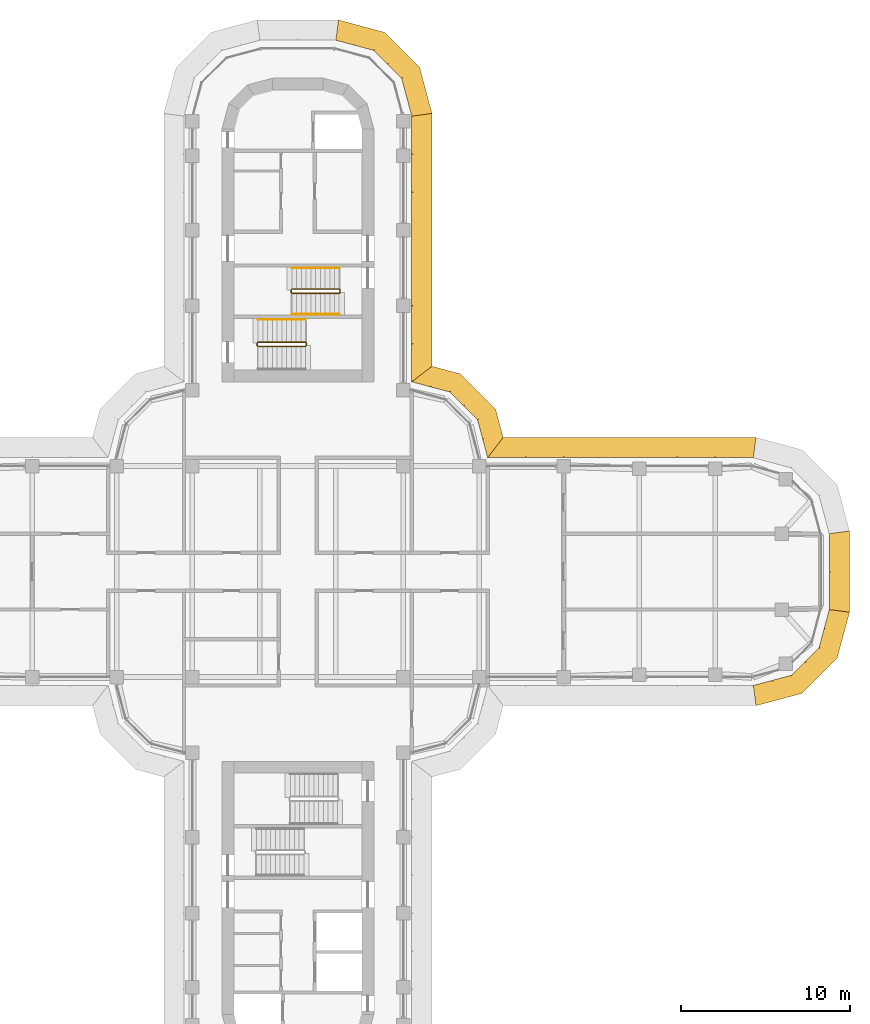
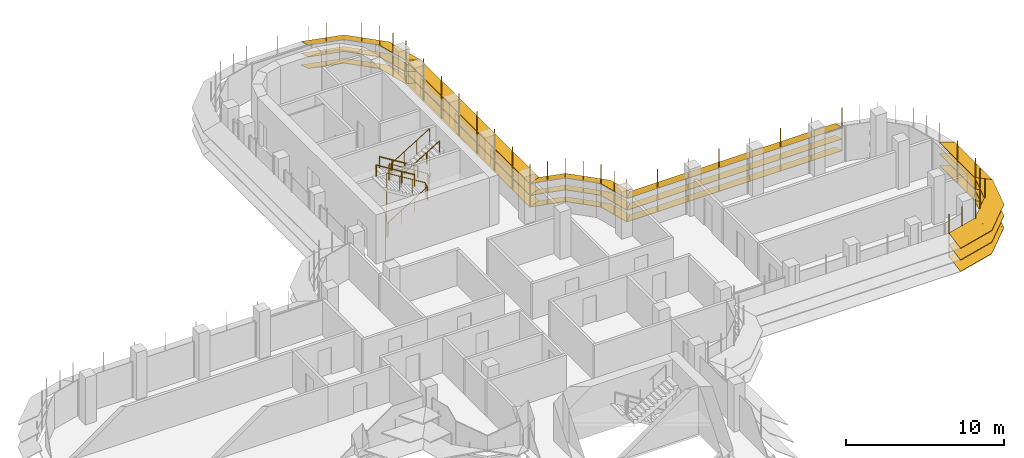
# One storey, part 18 of 19: 6 shading devices, 5 railings.
"""IFC4 building model written with IfcOpenShell, lengths in metres."""

import ifcopenshell
import ifcopenshell.guid

model = None  # the IFC model being written
_history = None  # IfcOwnerHistory: only IFC2X3 demands one
_inside = {}  # id of a spatial element -> (the spatial element, [elements in it])
_under = {}  # id of a project, library or spatial element -> (it, [spatial elements below it])
_declared = {}  # id of a project -> (the project, [libraries it declares])
_typed = {}  # id of a type object -> (the type object, [elements of that type])
_made_of = {}  # id of a material, layer set ... -> (it, [elements and type objects made of it])


def new_model(schema):
    """Start an empty IFC model of exactly this schema.

    Asked for "IFC4X3", IfcOpenShell would pick the latest addendum, in which some entities
    have other attributes; the version numbers below select the first issue.
    IFC2X3 requires an IfcOwnerHistory on every rooted entity: one is made here for all.
    """
    global model, _history
    if schema == "IFC4X3":
        model = ifcopenshell.file(schema_version=(4, 3, 0, 0))
    else:
        model = ifcopenshell.file(schema=schema)
    _inside.clear()
    _under.clear()
    _declared.clear()
    _typed.clear()
    _made_of.clear()
    _history = None
    if model.schema == "IFC2X3":
        org = make("IfcOrganization", Name="unknown")
        user = make(
            "IfcPersonAndOrganization",
            ThePerson=make("IfcPerson", FamilyName="unknown"),
            TheOrganization=org,
        )
        app = make(
            "IfcApplication",
            ApplicationDeveloper=org,
            Version="unknown",
            ApplicationFullName="unknown",
            ApplicationIdentifier="unknown",
        )
        _history = make(
            "IfcOwnerHistory",
            OwningUser=user,
            OwningApplication=app,
            ChangeAction="ADDED",
            CreationDate=0,
        )
    return model


def make(cls, **values):
    """One entity of the class cls with the attributes given. An attribute that is None is left unset."""
    return model.create_entity(
        cls, **{name: value for name, value in values.items() if value is not None}
    )


def rooted(cls, **values):
    """An entity with a GlobalId (a new one), such as an element, a storey or a relation."""
    return make(cls, GlobalId=ifcopenshell.guid.new(), OwnerHistory=_history, **values)


def si_unit(unit_type, name, prefix=None):
    """IfcSIUnit, for example si_unit("LENGTHUNIT", "METRE", prefix="MILLI")."""
    return make("IfcSIUnit", UnitType=unit_type, Prefix=prefix, Name=name)


def assignment(units):
    """IfcUnitAssignment: the units of a project."""
    return None if units is None else make("IfcUnitAssignment", Units=units)


def point(xyz):
    """IfcCartesianPoint."""
    return None if xyz is None else make("IfcCartesianPoint", Coordinates=xyz)


def direction(xyz):
    """IfcDirection."""
    return None if xyz is None else make("IfcDirection", DirectionRatios=xyz)


def frame(location, z_axis=None, x_axis=None):
    """IfcAxis2Placement3D, a coordinate frame: its origin and axes. An axis left out is left unset."""
    return make(
        "IfcAxis2Placement3D",
        Location=point(location),
        Axis=direction(z_axis),
        RefDirection=direction(x_axis),
    )


def frame_2d(location, x_axis=None):
    """IfcAxis2Placement2D, a coordinate frame in the plane: its origin and x axis."""
    return make(
        "IfcAxis2Placement2D", Location=point(location), RefDirection=direction(x_axis)
    )


def origin():
    """The frame at (0, 0, 0) with its axes left unset."""
    return frame((0.0, 0.0, 0.0))


def origin_2d():
    """The frame at (0, 0) in the plane with its x axis left unset."""
    return frame_2d((0.0, 0.0))


def place(relative_to, where):
    """IfcLocalPlacement: puts the frame where relative to a parent placement (None: the world)."""
    return make(
        "IfcLocalPlacement", PlacementRelTo=relative_to, RelativePlacement=where
    )


def context(
    kind, dimensions, precision=None, world=None, true_north=None, identifier=None
):
    """IfcGeometricRepresentationContext, for example the 3D "Model" context."""
    return make(
        "IfcGeometricRepresentationContext",
        ContextIdentifier=identifier,
        ContextType=kind,
        CoordinateSpaceDimension=dimensions,
        Precision=precision,
        WorldCoordinateSystem=world,
        TrueNorth=true_north,
    )


def subcontext(parent, identifier, kind, view, scale=None):
    """IfcGeometricRepresentationSubContext, for example "Body" below "Model"."""
    return make(
        "IfcGeometricRepresentationSubContext",
        ContextIdentifier=identifier,
        ContextType=kind,
        ParentContext=parent,
        TargetScale=scale,
        TargetView=view,
    )


def project(units=None, contexts=None):
    """IfcProject with its units and contexts."""
    return rooted(
        "IfcProject",
        Name="project",
        RepresentationContexts=contexts,
        UnitsInContext=assignment(units),
    )


def spatial(cls, under=None, at=None, **own):
    """A site, building, storey or space (cls), placed at a placement, below another one or the project."""
    s = rooted(cls, ObjectPlacement=at, **own)
    if under is not None:
        _under.setdefault(under.id(), (under, []))[1].append(s)
    return s


def polyline(points):
    """IfcPolyline through the points."""
    return make("IfcPolyline", Points=[point(p) for p in points])


def profile(cls, at=None, kind="AREA", **sizes):
    """A parametric profile (cls). Its sizes go by their IFC names, for example OverallWidth=200.0."""
    return make(cls, ProfileType=kind, Position=at, **sizes)


def circle(**sizes):
    """IfcCircleProfileDef."""
    return profile("IfcCircleProfileDef", **sizes)


def outline(outer, holes=None, kind="AREA"):
    """IfcArbitraryClosedProfileDef: a profile drawn as a closed curve; with holes, ...WithVoids."""
    if holes is None:
        return make("IfcArbitraryClosedProfileDef", ProfileType=kind, OuterCurve=outer)
    return make(
        "IfcArbitraryProfileDefWithVoids",
        ProfileType=kind,
        OuterCurve=outer,
        InnerCurves=holes,
    )


def extrude(swept, where, along, depth):
    """IfcExtrudedAreaSolid: the profile swept, set in the frame where, extruded along a direction by depth."""
    return make(
        "IfcExtrudedAreaSolid",
        SweptArea=swept,
        Position=where,
        ExtrudedDirection=direction(along),
        Depth=depth,
    )


def faces_of(points, faces, orient=None, outer=None):
    """IfcFace entities. A face is a list of loops; a loop is a list of indices into points, from 0.

    orient and outer hold one flag for each loop. By default every Orientation is true, the
    first loop of a face is its IfcFaceOuterBound and the others are IfcFaceBound.
    """
    made = []
    for i, loops in enumerate(faces):
        bounds = []
        for j, loop in enumerate(loops):
            is_outer = j == 0 if outer is None else outer[i][j]
            bounds.append(
                make(
                    "IfcFaceOuterBound" if is_outer else "IfcFaceBound",
                    Bound=make("IfcPolyLoop", Polygon=[points[k] for k in loop]),
                    Orientation=True if orient is None else orient[i][j],
                )
            )
        made.append(make("IfcFace", Bounds=bounds))
    return made


def faceted_brep(points, faces, orient=None, outer=None, voids=None):
    """IfcFacetedBrep: a solid bounded by flat faces; with voids (closed shells), ...WithVoids."""
    shared = [point(p) for p in points]
    hull = make("IfcClosedShell", CfsFaces=faces_of(shared, faces, orient, outer))
    if voids is None:
        return make("IfcFacetedBrep", Outer=hull)
    return make(
        "IfcFacetedBrepWithVoids",
        Outer=hull,
        Voids=[
            make(cls, CfsFaces=faces_of(shared, fs, o, b)) for cls, fs, o, b in voids
        ],
    )


def shape(context_of_items, identifier, shape_type, items):
    """IfcShapeRepresentation: the items that make up one representation, for example the "Body"."""
    return make(
        "IfcShapeRepresentation",
        ContextOfItems=context_of_items,
        RepresentationIdentifier=identifier,
        RepresentationType=shape_type,
        Items=items,
    )


def source(mapping_origin, context_of_items, identifier, shape_type, items):
    """IfcRepresentationMap: a shape defined once, which mapped items show again and again."""
    return make(
        "IfcRepresentationMap",
        MappingOrigin=mapping_origin,
        MappedRepresentation=shape(context_of_items, identifier, shape_type, items),
    )


def transform(
    local_origin,
    x_axis=None,
    y_axis=None,
    z_axis=None,
    scale=None,
    scale2=None,
    scale3=None,
    uniform=True,
):
    """IfcCartesianTransformationOperator3D, or its non-uniform kind. x_axis, y_axis, z_axis: its Axis1, 2, 3."""
    if uniform:
        return make(
            "IfcCartesianTransformationOperator3D",
            Axis1=direction(x_axis),
            Axis2=direction(y_axis),
            LocalOrigin=point(local_origin),
            Scale=scale,
            Axis3=direction(z_axis),
        )
    return make(
        "IfcCartesianTransformationOperator3DnonUniform",
        Axis1=direction(x_axis),
        Axis2=direction(y_axis),
        LocalOrigin=point(local_origin),
        Scale=scale,
        Axis3=direction(z_axis),
        Scale2=scale2,
        Scale3=scale3,
    )


def mapped(mapping_source, mapping_target):
    """IfcMappedItem: shows the shape of a source again, moved by a transform."""
    return make(
        "IfcMappedItem", MappingSource=mapping_source, MappingTarget=mapping_target
    )


def material(Name=None, Category=None):
    """IfcMaterial."""
    return make("IfcMaterial", Name=Name, Category=Category)


def made_of(thing, what):
    """Note that an element or type object is made of a material, layer set ...; save() writes the relation."""
    if what is not None:
        _made_of.setdefault(what.id(), (what, []))[1].append(thing)
    return thing


def type_object(cls, material=None, **own):
    """A type object (cls), such as IfcWallType, which elements share."""
    return made_of(rooted(cls, **own), material)


def element(
    cls,
    number,
    at=None,
    inside=None,
    cuts=None,
    type_object=None,
    material=None,
    context=None,
    identifier="Body",
    shape_type=None,
    held_by="IfcProductDefinitionShape",
    body=None,
    shapes=None,
    **own,
):
    """One element of the class cls, such as IfcWall. Its Tag is "e" and its number.

    at: its placement. inside: the storey or other place that contains it. cuts: it is an
    opening in that element (IfcRelVoidsElement). A single representation is given by context,
    identifier, shape_type and body (its items); several are given by shapes. held_by: the class
    of the entity that holds the representations. save() writes the other relations.
    """
    e = rooted(cls, Tag="e%d" % number, ObjectPlacement=at, **own)
    if body is not None:
        shapes = [shape(context, identifier, shape_type, body)]
    if shapes is not None:
        e.Representation = make(held_by, Representations=shapes)
    if inside is not None:
        _inside.setdefault(inside.id(), (inside, []))[1].append(e)
    if cuts is not None:
        rooted(
            "IfcRelVoidsElement", RelatingBuildingElement=cuts, RelatedOpeningElement=e
        )
    if type_object is not None:
        _typed.setdefault(type_object.id(), (type_object, []))[1].append(e)
    return made_of(e, material)


def aggregate(whole, parts):
    """IfcRelAggregates: a whole, such as a stair, and the parts it consists of."""
    return rooted("IfcRelAggregates", RelatingObject=whole, RelatedObjects=parts)


def save(model, path):
    """Write the relations noted so far, then the file.

    IfcRelAggregates (storeys below a building ...), IfcRelContainedInSpatialStructure (elements
    in a storey), IfcRelDefinesByType, IfcRelAssociatesMaterial and IfcRelDeclares: one each for
    every whole, place, type object, material and project.
    """
    for whole, parts in _under.values():
        aggregate(whole, parts)
    for where, things in _inside.values():
        rooted(
            "IfcRelContainedInSpatialStructure",
            RelatedElements=things,
            RelatingStructure=where,
        )
    for kind, things in _typed.values():
        rooted("IfcRelDefinesByType", RelatedObjects=things, RelatingType=kind)
    for what, things in _made_of.values():
        rooted("IfcRelAssociatesMaterial", RelatedObjects=things, RelatingMaterial=what)
    for by, libraries in _declared.values():
        rooted("IfcRelDeclares", RelatingContext=by, RelatedDefinitions=libraries)
    model.write(path)


model = new_model("IFC4")

# Units and contexts
model_context = context("Model", 3, precision=1e-05, world=origin(), true_north=direction((0.0, 1.0)))
body_context = subcontext(model_context, "Body", "Model", "MODEL_VIEW")
ifc_project = project(units=[si_unit("LENGTHUNIT", "METRE"), si_unit("AREAUNIT", "SQUARE_METRE"), si_unit("VOLUMEUNIT", "CUBIC_METRE"), si_unit("PLANEANGLEUNIT", "RADIAN"), si_unit("MASSUNIT", "GRAM", prefix="KILO")], contexts=[model_context])

# Site, building, storey
site_placement = place(None, origin())
site = spatial("IfcSite", under=ifc_project, at=site_placement, CompositionType="ELEMENT")
building_placement = place(site_placement, origin())
building = spatial("IfcBuilding", under=site, at=building_placement, Name="Zarbagh Exchange Tower", CompositionType="ELEMENT")
storey_placement = place(building_placement, frame((0.0, 0.0, 171.39990234375)))
storey = spatial("IfcBuildingStorey", under=building, at=storey_placement, Name="L41", CompositionType="ELEMENT", Elevation=171.39990234375)

# Railings
ifc_material_1 = material(Name="Stainless steel", Category="steel")
railing_type_1 = type_object("IfcRailingType", Name="Stair guard 1100 mm", PredefinedType="GUARDRAIL", material=ifc_material_1)
railing_1_placement = place(storey_placement, frame((-0.35009765625, 16.5, 2.07275390625)))
element("IfcRailing", 1, at=railing_1_placement, inside=storey, type_object=railing_type_1, Name="ST1 stair guard 1", PredefinedType="GUARDRAIL", context=body_context, shape_type="SweptSolid", body=[
    extrude(circle(Radius=0.02392578125, at=origin_2d()), frame((0.0, 0.0, 1.076171875), z_axis=(0.851089632645, 0.0, 0.525020415988), x_axis=(0.0, 1.0, 0.0)), (0.0, 0.0, 1.0), 3.2900390625),
    extrude(circle(Radius=0.02392578125, at=origin_2d()), frame((2.800048828125, 0.0, 2.80322265625), z_axis=(0.013168290981, 0.013168290981, -0.999826581076), x_axis=(-0.707106781187, 0.707106781187, 0.0)), (0.0, 0.0, 1.0), 3.80078125),
    extrude(circle(Radius=0.02392578125, at=origin_2d()), frame((2.85009765625, 0.050048828125, -0.99658203125), z_axis=(0.0, 1.0, 0.0), x_axis=(-1.0, 0.0, 0.0)), (0.0, 0.0, 1.0), 0.14990234375),
    extrude(circle(Radius=0.02392578125, at=origin_2d()), frame((2.85009765625, 0.199951171875, -0.99658203125), z_axis=(-0.267953482034, 0.267953482034, 0.925419830635), x_axis=(-0.707106781187, -0.707106781187, 0.0)), (0.0, 0.0, 1.0), 0.186767578125),
    extrude(circle(Radius=0.02392578125, at=origin_2d()), frame((2.800048828125, 0.25, -0.82373046875), z_axis=(-0.851089632645, 0.0, 0.525020415988), x_axis=(0.0, -1.0, 0.0)), (0.0, 0.0, 1.0), 3.2900390625),
    extrude(circle(Radius=0.02392578125, at=origin_2d()), frame((0.0, 0.25, 0.9033203125), z_axis=(-0.705375805398, -0.708833529934, 0.0), x_axis=(0.708833529934, -0.705375805398, 0.0)), (0.0, 0.0, 1.0), 0.070556640625),
    extrude(circle(Radius=0.02392578125, at=origin_2d()), frame((-0.0498046875, 0.199951171875, 0.9033203125), z_axis=(0.0, -1.0, 0.0), x_axis=(1.0, 0.0, 0.0)), (0.0, 0.0, 1.0), 0.14990234375),
    extrude(circle(Radius=0.02099609375, at=origin_2d()), origin(), (0.0, 0.0, 1.0), 1.052001953125),
    extrude(circle(Radius=0.02099609375, at=origin_2d()), frame((0.933349609375, 0.0, 0.57568359375)), (0.0, 0.0, 1.0), 1.052001953125),
    extrude(circle(Radius=0.02099609375, at=origin_2d()), frame((1.86669921875, 0.0, 1.151611328125)), (0.0, 0.0, 1.0), 1.052001953125),
    extrude(circle(Radius=0.02099609375, at=origin_2d()), frame((2.800048828125, 0.0, 1.727294921875)), (0.0, 0.0, 1.0), 1.052001953125),
    extrude(circle(Radius=0.02099609375, at=origin_2d()), frame((2.8125, 0.012451171875, 0.77734375)), (0.0, 0.0, 1.0), 1.052001953125),
    extrude(circle(Radius=0.02099609375, at=origin_2d()), frame((2.8251953125, 0.02490234375, -0.1728515625)), (0.0, 0.0, 1.0), 1.052001953125),
    extrude(circle(Radius=0.02099609375, at=origin_2d()), frame((2.837646484375, 0.03759765625, -1.122802734375)), (0.0, 0.0, 1.0), 1.052001953125),
    extrude(circle(Radius=0.02099609375, at=origin_2d()), frame((2.85009765625, 0.050048828125, -2.07275390625)), (0.0, 0.0, 1.0), 1.052001953125),
    extrude(circle(Radius=0.02099609375, at=origin_2d()), frame((2.85009765625, 0.199951171875, -2.07275390625)), (0.0, 0.0, 1.0), 1.052001953125),
    extrude(circle(Radius=0.02099609375, at=origin_2d()), frame((2.800048828125, 0.25, -1.89990234375)), (0.0, 0.0, 1.0), 1.052001953125),
    extrude(circle(Radius=0.02099609375, at=origin_2d()), frame((1.86669921875, 0.25, -1.32421875)), (0.0, 0.0, 1.0), 1.052001953125),
    extrude(circle(Radius=0.02099609375, at=origin_2d()), frame((0.933349609375, 0.25, -0.748291015625)), (0.0, 0.0, 1.0), 1.052001953125),
    extrude(circle(Radius=0.02099609375, at=origin_2d()), frame((0.0, 0.25, -0.172607421875)), (0.0, 0.0, 1.0), 1.052001953125),
    extrude(circle(Radius=0.02099609375, at=origin_2d()), frame((-0.0498046875, 0.199951171875, -0.172607421875)), (0.0, 0.0, 1.0), 1.052001953125),
    extrude(circle(Radius=0.02099609375, at=origin_2d()), frame((-0.0498046875, 0.050048828125, -0.172607421875)), (0.0, 0.0, 1.0), 1.052001953125),
])
railing_2_placement = place(storey_placement, frame((0.5, 13.39990234375, 1.900146484375)))
element("IfcRailing", 2, at=railing_2_placement, inside=storey, type_object=railing_type_1, Name="ST2 stair guard 1", PredefinedType="GUARDRAIL", context=body_context, shape_type="SweptSolid", body=[
    extrude(circle(Radius=0.02392578125, at=origin_2d()), frame((0.0, 0.0, 1.076171875), z_axis=(0.0, 1.0, 0.0), x_axis=(-1.0, 0.0, 0.0)), (0.0, 0.0, 1.0), 0.150146484375),
    extrude(circle(Radius=0.02392578125, at=origin_2d()), frame((0.0, 0.150146484375, 1.076171875), z_axis=(-0.268277960024, 0.268277960024, 0.925231793839), x_axis=(-0.707106781187, -0.707106781187, 0.0)), (0.0, 0.0, 1.0), 0.1865234375),
    extrude(circle(Radius=0.02392578125, at=origin_2d()), frame((-0.050048828125, 0.2001953125, 1.24853515625), z_axis=(-0.851089632645, 0.0, 0.525020415988), x_axis=(0.0, -1.0, 0.0)), (0.0, 0.0, 1.0), 3.2900390625),
    extrude(circle(Radius=0.02392578125, at=origin_2d()), frame((-2.85009765625, 0.2001953125, 2.97607421875), z_axis=(-0.013104066473, -0.013168302093, -0.99982742474), x_axis=(0.708833529934, -0.705375805398, 0.0)), (0.0, 0.0, 1.0), 3.80078125),
    extrude(circle(Radius=0.02392578125, at=origin_2d()), frame((-2.89990234375, 0.150146484375, -0.82421875), z_axis=(0.0, -1.0, 0.0), x_axis=(1.0, 0.0, 0.0)), (0.0, 0.0, 1.0), 0.150146484375),
    extrude(circle(Radius=0.02392578125, at=origin_2d()), frame((-2.89990234375, 0.0, -0.82421875), z_axis=(0.266832911964, -0.266832911964, 0.926067165051), x_axis=(0.707106781187, 0.707106781187, 0.0)), (0.0, 0.0, 1.0), 0.186767578125),
    extrude(circle(Radius=0.02392578125, at=origin_2d()), frame((-2.85009765625, -0.0498046875, -0.6513671875), z_axis=(0.851089632645, 0.0, 0.525020415988), x_axis=(0.0, 1.0, 0.0)), (0.0, 0.0, 1.0), 3.2900390625),
    extrude(circle(Radius=0.02099609375, at=origin_2d()), origin(), (0.0, 0.0, 1.0), 1.052001953125),
    extrude(circle(Radius=0.02099609375, at=origin_2d()), frame((0.0, 0.150146484375, 0.0)), (0.0, 0.0, 1.0), 1.052001953125),
    extrude(circle(Radius=0.02099609375, at=origin_2d()), frame((-0.050048828125, 0.2001953125, 0.172607421875)), (0.0, 0.0, 1.0), 1.052001953125),
    extrude(circle(Radius=0.02099609375, at=origin_2d()), frame((-0.9833984375, 0.2001953125, 0.748291015625)), (0.0, 0.0, 1.0), 1.052001953125),
    extrude(circle(Radius=0.02099609375, at=origin_2d()), frame((-1.916748046875, 0.2001953125, 1.32421875)), (0.0, 0.0, 1.0), 1.052001953125),
    extrude(circle(Radius=0.02099609375, at=origin_2d()), frame((-2.85009765625, 0.2001953125, 1.89990234375)), (0.0, 0.0, 1.0), 1.052001953125),
    extrude(circle(Radius=0.02099609375, at=origin_2d()), frame((-2.862548828125, 0.187744140625, 0.949951171875)), (0.0, 0.0, 1.0), 1.052001953125),
    extrude(circle(Radius=0.02099609375, at=origin_2d()), frame((-2.875, 0.17529296875, 0.0)), (0.0, 0.0, 1.0), 1.052001953125),
    extrude(circle(Radius=0.02099609375, at=origin_2d()), frame((-2.887451171875, 0.16259765625, -0.9501953125)), (0.0, 0.0, 1.0), 1.052001953125),
    extrude(circle(Radius=0.02099609375, at=origin_2d()), frame((-2.89990234375, 0.150146484375, -1.900146484375)), (0.0, 0.0, 1.0), 1.052001953125),
    extrude(circle(Radius=0.02099609375, at=origin_2d()), frame((-2.89990234375, 0.0, -1.900146484375)), (0.0, 0.0, 1.0), 1.052001953125),
    extrude(circle(Radius=0.02099609375, at=origin_2d()), frame((-2.85009765625, -0.0498046875, -1.727294921875)), (0.0, 0.0, 1.0), 1.052001953125),
    extrude(circle(Radius=0.02099609375, at=origin_2d()), frame((-1.916748046875, -0.0498046875, -1.151611328125)), (0.0, 0.0, 1.0), 1.052001953125),
    extrude(circle(Radius=0.02099609375, at=origin_2d()), frame((-0.9833984375, -0.0498046875, -0.57568359375)), (0.0, 0.0, 1.0), 1.052001953125),
    extrude(circle(Radius=0.02099609375, at=origin_2d()), frame((-0.050048828125, -0.0498046875, 0.0)), (0.0, 0.0, 1.0), 1.052001953125),
])
railing_type_2 = type_object("IfcRailingType", Name="Stair handrail 900 mm", PredefinedType="HANDRAIL", material=ifc_material_1)
railing_3_placement = place(storey_placement, frame((2.449951171875, 18.0, 0.1728515625)))
element("IfcRailing", 3, at=railing_3_placement, inside=storey, type_object=railing_type_2, Name="ST1 stair handrail 1", PredefinedType="HANDRAIL", context=body_context, shape_type="SweptSolid", body=[
    extrude(circle(Radius=0.02392578125, at=origin_2d()), frame((0.0, 0.0, 0.8759765625), z_axis=(-0.851089632645, 0.0, 0.525020415988), x_axis=(0.0, -1.0, 0.0)), (0.0, 0.0, 1.0), 3.2900390625),
    extrude(circle(Radius=0.02099609375, at=origin_2d()), origin(), (0.0, 0.0, 1.0), 0.851806640625),
    extrude(circle(Radius=0.02099609375, at=origin_2d()), frame((-0.933349609375, 0.0, 0.57568359375)), (0.0, 0.0, 1.0), 0.851806640625),
    extrude(circle(Radius=0.02099609375, at=origin_2d()), frame((-1.86669921875, 0.0, 1.151611328125)), (0.0, 0.0, 1.0), 0.851806640625),
    extrude(circle(Radius=0.02099609375, at=origin_2d()), frame((-2.800048828125, 0.0, 1.727294921875)), (0.0, 0.0, 1.0), 0.851806640625),
])
railing_4_placement = place(storey_placement, frame((-0.35009765625, 15.25, 2.07275390625)))
element("IfcRailing", 4, at=railing_4_placement, inside=storey, type_object=railing_type_2, Name="ST1 stair handrail 2", PredefinedType="HANDRAIL", context=body_context, shape_type="SweptSolid", body=[
    extrude(circle(Radius=0.02392578125, at=origin_2d()), frame((0.0, 0.0, 0.8759765625), z_axis=(0.851089632645, 0.0, 0.525020415988), x_axis=(0.0, 1.0, 0.0)), (0.0, 0.0, 1.0), 3.2900390625),
    extrude(circle(Radius=0.02099609375, at=origin_2d()), origin(), (0.0, 0.0, 1.0), 0.851806640625),
    extrude(circle(Radius=0.02099609375, at=origin_2d()), frame((0.933349609375, 0.0, 0.57568359375)), (0.0, 0.0, 1.0), 0.851806640625),
    extrude(circle(Radius=0.02099609375, at=origin_2d()), frame((1.86669921875, 0.0, 1.151611328125)), (0.0, 0.0, 1.0), 0.851806640625),
    extrude(circle(Radius=0.02099609375, at=origin_2d()), frame((2.800048828125, 0.0, 1.727294921875)), (0.0, 0.0, 1.0), 0.851806640625),
])
railing_5_placement = place(storey_placement, frame((0.449951171875, 14.949951171875, 2.07275390625)))
element("IfcRailing", 5, at=railing_5_placement, inside=storey, type_object=railing_type_2, Name="ST2 stair handrail 2", PredefinedType="HANDRAIL", context=body_context, shape_type="SweptSolid", body=[
    extrude(circle(Radius=0.02392578125, at=origin_2d()), frame((0.0, 0.0, 0.8759765625), z_axis=(-0.851089632645, 0.0, 0.525020415988), x_axis=(0.0, -1.0, 0.0)), (0.0, 0.0, 1.0), 3.2900390625),
    extrude(circle(Radius=0.02099609375, at=origin_2d()), origin(), (0.0, 0.0, 1.0), 0.851806640625),
    extrude(circle(Radius=0.02099609375, at=origin_2d()), frame((-0.933349609375, 0.0, 0.57568359375)), (0.0, 0.0, 1.0), 0.851806640625),
    extrude(circle(Radius=0.02099609375, at=origin_2d()), frame((-1.86669921875, 0.0, 1.151611328125)), (0.0, 0.0, 1.0), 0.851806640625),
    extrude(circle(Radius=0.02099609375, at=origin_2d()), frame((-2.800048828125, 0.0, 1.727294921875)), (0.0, 0.0, 1.0), 0.851806640625),
])

# Shading devices
ifc_material_2 = material(Name="Anodised aluminium blades and brackets", Category="aluminium")
shading_device_type = type_object("IfcShadingDeviceType", Name="SUNSHADE louvre band, 22.5 degree blades", PredefinedType="JALOUSIE", material=ifc_material_2)
shared_shape_1 = source(origin(), body_context, "Body", "Brep", [
    faceted_brep([(0.0, 0.0, 0.0), (0.0, 0.0, -0.043212890625), (-0.157958984375, -1.199951171875, -0.540283203125), (-0.157958984375, -1.199951171875, -0.4970703125), (2.65087890625, -1.199951171875, -0.4970703125), (2.65087890625, -1.199951171875, -0.540283203125), (2.329345703125, 0.0, -0.043212890625), (2.329345703125, 0.0, 0.0)], [[[0, 1, 2, 3]], [[4, 5, 6, 7]], [[0, 7, 6, 1]], [[1, 6, 5, 2]], [[2, 5, 4, 3]], [[3, 4, 7, 0]]]),
])
shared_shape_2 = source(origin(), body_context, "Body", "Brep", [
    faceted_brep([(0.0, 0.0, 0.0), (0.0, 0.0, -0.043212890625), (-0.321533203125, -1.199951171875, -0.540283203125), (-0.321533203125, -1.199951171875, -0.4970703125), (2.65087890625, -1.199951171875, -0.4970703125), (2.65087890625, -1.199951171875, -0.540283203125), (2.329345703125, 0.0, -0.043212890625), (2.329345703125, 0.0, 0.0)], [[[0, 1, 2, 3]], [[4, 5, 6, 7]], [[0, 7, 6, 1]], [[1, 6, 5, 2]], [[2, 5, 4, 3]], [[3, 4, 7, 0]]]),
])
shared_shape_3 = source(origin(), body_context, "Body", "Brep", [
    faceted_brep([(0.0, 0.0, 0.0), (0.0, 0.0, -0.043212890625), (-0.321533203125, -1.199951171875, -0.540283203125), (-0.321533203125, -1.199951171875, -0.4970703125), (2.4873046875, -1.199951171875, -0.4970703125), (2.4873046875, -1.199951171875, -0.540283203125), (2.329345703125, 0.0, -0.043212890625), (2.329345703125, 0.0, 0.0)], [[[0, 1, 2, 3]], [[4, 5, 6, 7]], [[0, 7, 6, 1]], [[1, 6, 5, 2]], [[2, 5, 4, 3]], [[3, 4, 7, 0]]]),
])
shared_shape_4 = source(origin(), body_context, "Body", "SweptSolid", [
    extrude(outline(polyline([(0.0, -0.012451171875), (0.06005859375, -0.012451171875), (0.06005859375, 0.012451171875), (0.0, 0.012451171875), (0.0, -0.012451171875)])), origin(), (0.0, 0.0, 1.0), 3.353271484375),
])
placement = place(storey_placement, origin())
element("IfcShadingDevice", 6, at=placement, inside=storey, type_object=shading_device_type, Name="SS31 sunshade band", PredefinedType="JALOUSIE", context=body_context, shape_type="MappedRepresentation", body=[
    mapped(shared_shape_1, transform((27.0, -6.75, 2.300048828125), x_axis=(0.965924289636, 0.258824779902, 0.0), y_axis=(-0.258824779902, 0.965924289636, 0.0), z_axis=(0.0, 0.0, 1.0))),
    mapped(shared_shape_1, transform((27.0, -6.75, 1.400146484375), x_axis=(0.965924289636, 0.258824779902, 0.0), y_axis=(-0.258824779902, 0.965924289636, 0.0), z_axis=(0.0, 0.0, 1.0))),
    mapped(shared_shape_1, transform((27.0, -6.75, 0.5), x_axis=(0.965924289636, 0.258824779902, 0.0), y_axis=(-0.258824779902, 0.965924289636, 0.0), z_axis=(0.0, 0.0, 1.0))),
    mapped(shared_shape_2, transform((29.25, -6.147216796875, 2.300048828125), x_axis=(0.707106781187, 0.707106781187, 0.0), y_axis=(-0.707106781187, 0.707106781187, 0.0), z_axis=(0.0, 0.0, 1.0))),
    mapped(shared_shape_2, transform((29.25, -6.147216796875, 1.400146484375), x_axis=(0.707106781187, 0.707106781187, 0.0), y_axis=(-0.707106781187, 0.707106781187, 0.0), z_axis=(0.0, 0.0, 1.0))),
    mapped(shared_shape_2, transform((29.25, -6.147216796875, 0.5), x_axis=(0.707106781187, 0.707106781187, 0.0), y_axis=(-0.707106781187, 0.707106781187, 0.0), z_axis=(0.0, 0.0, 1.0))),
    mapped(shared_shape_3, transform((30.897216796875, -4.5, 2.300048828125), x_axis=(0.258824779902, 0.965924289636, 0.0), y_axis=(-0.965924289636, 0.258824779902, 0.0), z_axis=(0.0, 0.0, 1.0))),
    mapped(shared_shape_3, transform((30.897216796875, -4.5, 1.400146484375), x_axis=(0.258824779902, 0.965924289636, 0.0), y_axis=(-0.965924289636, 0.258824779902, 0.0), z_axis=(0.0, 0.0, 1.0))),
    mapped(shared_shape_3, transform((30.897216796875, -4.5, 0.5), x_axis=(0.258824779902, 0.965924289636, 0.0), y_axis=(-0.965924289636, 0.258824779902, 0.0), z_axis=(0.0, 0.0, 1.0))),
    mapped(shared_shape_4, transform((27.0, -6.75, 0.4267578125), x_axis=(0.130529263012, -0.991444457092, 0.0), y_axis=(0.991444457092, 0.130529263012, 0.0), z_axis=(0.0, 0.0, 1.0))),
    mapped(shared_shape_4, transform((28.125, -6.448486328125, 0.4267578125), x_axis=(0.258825058029, -0.96592421511, 0.0), y_axis=(0.96592421511, 0.258825058029, 0.0), z_axis=(0.0, 0.0, 1.0))),
    mapped(shared_shape_4, transform((29.25, -6.147216796875, 0.4267578125), x_axis=(0.50000275701, -0.866023812018, 0.0), y_axis=(0.866023812018, 0.50000275701, 0.0), z_axis=(0.0, 0.0, 1.0))),
    mapped(shared_shape_4, transform((30.073486328125, -5.323486328125, 0.4267578125), x_axis=(0.707106781187, -0.707106781187, 0.0), y_axis=(0.707106781187, 0.707106781187, 0.0), z_axis=(0.0, 0.0, 1.0))),
    mapped(shared_shape_4, transform((30.897216796875, -4.5, 0.4267578125), x_axis=(0.866023812018, -0.50000275701, 0.0), y_axis=(0.50000275701, 0.866023812018, 0.0), z_axis=(0.0, 0.0, 1.0))),
    mapped(shared_shape_4, transform((31.198486328125, -3.375, 0.4267578125), x_axis=(0.96592421511, -0.258825058029, 0.0), y_axis=(0.258825058029, 0.96592421511, 0.0), z_axis=(0.0, 0.0, 1.0))),
])
element("IfcShadingDevice", 7, at=placement, inside=storey, type_object=shading_device_type, Name="SS26 sunshade band", PredefinedType="JALOUSIE", context=body_context, shape_type="MappedRepresentation", body=[
    mapped(shared_shape_1, transform((6.75, 27.0, 2.300048828125), x_axis=(-0.258824779902, 0.965924289636, 0.0), y_axis=(-0.965924289636, -0.258824779902, 0.0), z_axis=(0.0, 0.0, 1.0))),
    mapped(shared_shape_1, transform((6.75, 27.0, 1.400146484375), x_axis=(-0.258824779902, 0.965924289636, 0.0), y_axis=(-0.965924289636, -0.258824779902, 0.0), z_axis=(0.0, 0.0, 1.0))),
    mapped(shared_shape_1, transform((6.75, 27.0, 0.5), x_axis=(-0.258824779902, 0.965924289636, 0.0), y_axis=(-0.965924289636, -0.258824779902, 0.0), z_axis=(0.0, 0.0, 1.0))),
    mapped(shared_shape_2, transform((6.147216796875, 29.25, 2.300048828125), x_axis=(-0.707106781187, 0.707106781187, 0.0), y_axis=(-0.707106781187, -0.707106781187, 0.0), z_axis=(0.0, 0.0, 1.0))),
    mapped(shared_shape_2, transform((6.147216796875, 29.25, 1.400146484375), x_axis=(-0.707106781187, 0.707106781187, 0.0), y_axis=(-0.707106781187, -0.707106781187, 0.0), z_axis=(0.0, 0.0, 1.0))),
    mapped(shared_shape_2, transform((6.147216796875, 29.25, 0.5), x_axis=(-0.707106781187, 0.707106781187, 0.0), y_axis=(-0.707106781187, -0.707106781187, 0.0), z_axis=(0.0, 0.0, 1.0))),
    mapped(shared_shape_3, transform((4.5, 30.897216796875, 2.300048828125), x_axis=(-0.965924289636, 0.258824779902, 0.0), y_axis=(-0.258824779902, -0.965924289636, 0.0), z_axis=(0.0, 0.0, 1.0))),
    mapped(shared_shape_3, transform((4.5, 30.897216796875, 1.400146484375), x_axis=(-0.965924289636, 0.258824779902, 0.0), y_axis=(-0.258824779902, -0.965924289636, 0.0), z_axis=(0.0, 0.0, 1.0))),
    mapped(shared_shape_3, transform((4.5, 30.897216796875, 0.5), x_axis=(-0.965924289636, 0.258824779902, 0.0), y_axis=(-0.258824779902, -0.965924289636, 0.0), z_axis=(0.0, 0.0, 1.0))),
    mapped(shared_shape_4, transform((6.75, 27.0, 0.4267578125), x_axis=(0.991444457092, 0.130529263012, 0.0), y_axis=(-0.130529263012, 0.991444457092, 0.0), z_axis=(0.0, 0.0, 1.0))),
    mapped(shared_shape_4, transform((6.448486328125, 28.125, 0.4267578125), x_axis=(0.96592421511, 0.258825058029, 0.0), y_axis=(-0.258825058029, 0.96592421511, 0.0), z_axis=(0.0, 0.0, 1.0))),
    mapped(shared_shape_4, transform((6.147216796875, 29.25, 0.4267578125), x_axis=(0.866023812018, 0.50000275701, 0.0), y_axis=(-0.50000275701, 0.866023812018, 0.0), z_axis=(0.0, 0.0, 1.0))),
    mapped(shared_shape_4, transform((5.323486328125, 30.073486328125, 0.4267578125), x_axis=(0.707106781187, 0.707106781187, 0.0), y_axis=(-0.707106781187, 0.707106781187, 0.0), z_axis=(0.0, 0.0, 1.0))),
    mapped(shared_shape_4, transform((4.5, 30.897216796875, 0.4267578125), x_axis=(0.50000275701, 0.866023812018, 0.0), y_axis=(-0.866023812018, 0.50000275701, 0.0), z_axis=(0.0, 0.0, 1.0))),
    mapped(shared_shape_4, transform((3.375, 31.198486328125, 0.4267578125), x_axis=(0.258825058029, 0.96592421511, 0.0), y_axis=(-0.96592421511, 0.258825058029, 0.0), z_axis=(0.0, 0.0, 1.0))),
])
shared_shape_5 = source(origin(), body_context, "Body", "Brep", [
    faceted_brep([(0.0, 0.0, 0.0), (0.0, 0.0, -0.043212890625), (0.9208984375, -1.199951171875, -0.540283203125), (0.9208984375, -1.199951171875, -0.4970703125), (2.65087890625, -1.199951171875, -0.4970703125), (2.65087890625, -1.199951171875, -0.540283203125), (2.329345703125, 0.0, -0.043212890625), (2.329345703125, 0.0, 0.0)], [[[0, 1, 2, 3]], [[4, 5, 6, 7]], [[0, 7, 6, 1]], [[1, 6, 5, 2]], [[2, 5, 4, 3]], [[3, 4, 7, 0]]]),
])
shared_shape_6 = source(origin(), body_context, "Body", "Brep", [
    faceted_brep([(0.0, 0.0, 0.0), (0.0, 0.0, -0.043212890625), (-0.321533203125, -1.199951171875, -0.540283203125), (-0.321533203125, -1.199951171875, -0.4970703125), (1.40869140625, -1.199951171875, -0.4970703125), (1.40869140625, -1.199951171875, -0.540283203125), (2.329345703125, 0.0, -0.043212890625), (2.329345703125, 0.0, 0.0)], [[[0, 1, 2, 3]], [[4, 5, 6, 7]], [[0, 7, 6, 1]], [[1, 6, 5, 2]], [[2, 5, 4, 3]], [[3, 4, 7, 0]]]),
])
element("IfcShadingDevice", 8, at=placement, inside=storey, type_object=shading_device_type, Name="SS09 sunshade band", PredefinedType="JALOUSIE", context=body_context, shape_type="MappedRepresentation", body=[
    mapped(shared_shape_5, transform((11.25, 6.75, 2.300048828125), x_axis=(-0.258824779902, 0.965924289636, 0.0), y_axis=(-0.965924289636, -0.258824779902, 0.0), z_axis=(0.0, 0.0, 1.0))),
    mapped(shared_shape_5, transform((11.25, 6.75, 1.400146484375), x_axis=(-0.258824779902, 0.965924289636, 0.0), y_axis=(-0.965924289636, -0.258824779902, 0.0), z_axis=(0.0, 0.0, 1.0))),
    mapped(shared_shape_5, transform((11.25, 6.75, 0.5), x_axis=(-0.258824779902, 0.965924289636, 0.0), y_axis=(-0.965924289636, -0.258824779902, 0.0), z_axis=(0.0, 0.0, 1.0))),
    mapped(shared_shape_2, transform((10.647216796875, 9.0, 2.300048828125), x_axis=(-0.707106781187, 0.707106781187, 0.0), y_axis=(-0.707106781187, -0.707106781187, 0.0), z_axis=(0.0, 0.0, 1.0))),
    mapped(shared_shape_2, transform((10.647216796875, 9.0, 1.400146484375), x_axis=(-0.707106781187, 0.707106781187, 0.0), y_axis=(-0.707106781187, -0.707106781187, 0.0), z_axis=(0.0, 0.0, 1.0))),
    mapped(shared_shape_2, transform((10.647216796875, 9.0, 0.5), x_axis=(-0.707106781187, 0.707106781187, 0.0), y_axis=(-0.707106781187, -0.707106781187, 0.0), z_axis=(0.0, 0.0, 1.0))),
    mapped(shared_shape_6, transform((9.0, 10.647216796875, 2.300048828125), x_axis=(-0.965924289636, 0.258824779902, 0.0), y_axis=(-0.258824779902, -0.965924289636, 0.0), z_axis=(0.0, 0.0, 1.0))),
    mapped(shared_shape_6, transform((9.0, 10.647216796875, 1.400146484375), x_axis=(-0.965924289636, 0.258824779902, 0.0), y_axis=(-0.258824779902, -0.965924289636, 0.0), z_axis=(0.0, 0.0, 1.0))),
    mapped(shared_shape_6, transform((9.0, 10.647216796875, 0.5), x_axis=(-0.965924289636, 0.258824779902, 0.0), y_axis=(-0.258824779902, -0.965924289636, 0.0), z_axis=(0.0, 0.0, 1.0))),
    mapped(shared_shape_4, transform((11.25, 6.75, 0.4267578125), x_axis=(0.608758892, 0.793355287, 0.0), y_axis=(-0.793355287, 0.608758892, 0.0), z_axis=(0.0, 0.0, 1.0))),
    mapped(shared_shape_4, transform((10.948486328125, 7.875, 0.4267578125), x_axis=(0.96592421511, 0.258825058029, 0.0), y_axis=(-0.258825058029, 0.96592421511, 0.0), z_axis=(0.0, 0.0, 1.0))),
    mapped(shared_shape_4, transform((10.647216796875, 9.0, 0.4267578125), x_axis=(0.866023812018, 0.50000275701, 0.0), y_axis=(-0.50000275701, 0.866023812018, 0.0), z_axis=(0.0, 0.0, 1.0))),
    mapped(shared_shape_4, transform((9.823486328125, 9.823486328125, 0.4267578125), x_axis=(0.707106781187, 0.707106781187, 0.0), y_axis=(-0.707106781187, 0.707106781187, 0.0), z_axis=(0.0, 0.0, 1.0))),
    mapped(shared_shape_4, transform((9.0, 10.647216796875, 0.4267578125), x_axis=(0.50000275701, 0.866023812018, 0.0), y_axis=(-0.866023812018, 0.50000275701, 0.0), z_axis=(0.0, 0.0, 1.0))),
    mapped(shared_shape_4, transform((7.875, 10.948486328125, 0.4267578125), x_axis=(0.258825058029, 0.96592421511, 0.0), y_axis=(-0.96592421511, 0.258825058029, 0.0), z_axis=(0.0, 0.0, 1.0))),
])
shared_shape_7 = source(origin(), body_context, "Body", "Brep", [
    faceted_brep([(0.0, 0.0, 0.0), (0.0, 0.0, -0.043212890625), (-0.157958984375, -1.199951171875, -0.540283203125), (-0.157958984375, -1.199951171875, -0.4970703125), (4.657958984375, -1.199951171875, -0.4970703125), (4.657958984375, -1.199951171875, -0.540283203125), (4.5, 0.0, -0.043212890625), (4.5, 0.0, 0.0)], [[[0, 1, 2, 3]], [[4, 5, 6, 7]], [[0, 7, 6, 1]], [[1, 6, 5, 2]], [[2, 5, 4, 3]], [[3, 4, 7, 0]]]),
])
element("IfcShadingDevice", 9, at=placement, inside=storey, type_object=shading_device_type, Name="SS32 sunshade band", PredefinedType="JALOUSIE", context=body_context, shape_type="MappedRepresentation", body=[
    mapped(shared_shape_7, transform((31.5, -2.25, 2.300048828125), x_axis=(0.0, 1.0, 0.0), y_axis=(-1.0, 0.0, 0.0), z_axis=(0.0, 0.0, 1.0))),
    mapped(shared_shape_7, transform((31.5, -2.25, 1.400146484375), x_axis=(0.0, 1.0, 0.0), y_axis=(-1.0, 0.0, 0.0), z_axis=(0.0, 0.0, 1.0))),
    mapped(shared_shape_7, transform((31.5, -2.25, 0.5), x_axis=(0.0, 1.0, 0.0), y_axis=(-1.0, 0.0, 0.0), z_axis=(0.0, 0.0, 1.0))),
    mapped(shared_shape_4, transform((31.5, -2.25, 0.4267578125), x_axis=(0.991444457092, -0.130529263012, 0.0), y_axis=(0.130529263012, 0.991444457092, 0.0), z_axis=(0.0, 0.0, 1.0))),
    mapped(shared_shape_4, transform((31.5, 0.0, 0.4267578125), x_axis=(1.0, 0.0, 0.0), y_axis=(0.0, 1.0, 0.0), z_axis=(0.0, 0.0, 1.0))),
])
shared_shape_8 = source(origin(), body_context, "Body", "Brep", [
    faceted_brep([(0.0, 0.0, 0.0), (0.0, 0.0, -0.043212890625), (-0.157958984375, -1.199951171875, -0.540283203125), (-0.157958984375, -1.199951171875, -0.4970703125), (14.8291015625, -1.199951171875, -0.4970703125), (14.8291015625, -1.199951171875, -0.540283203125), (15.75, 0.0, -0.043212890625), (15.75, 0.0, 0.0)], [[[0, 1, 2, 3]], [[4, 5, 6, 7]], [[0, 7, 6, 1]], [[1, 6, 5, 2]], [[2, 5, 4, 3]], [[3, 4, 7, 0]]]),
])
element("IfcShadingDevice", 10, at=placement, inside=storey, type_object=shading_device_type, Name="SS34 sunshade band", PredefinedType="JALOUSIE", context=body_context, shape_type="MappedRepresentation", body=[
    mapped(shared_shape_8, transform((27.0, 6.75, 2.300048828125), x_axis=(-1.0, 0.0, 0.0), y_axis=(0.0, -1.0, 0.0), z_axis=(0.0, 0.0, 1.0))),
    mapped(shared_shape_8, transform((27.0, 6.75, 1.400146484375), x_axis=(-1.0, 0.0, 0.0), y_axis=(0.0, -1.0, 0.0), z_axis=(0.0, 0.0, 1.0))),
    mapped(shared_shape_8, transform((27.0, 6.75, 0.5), x_axis=(-1.0, 0.0, 0.0), y_axis=(0.0, -1.0, 0.0), z_axis=(0.0, 0.0, 1.0))),
    mapped(shared_shape_4, transform((27.0, 6.75, 0.4267578125), x_axis=(0.130529263012, 0.991444457092, 0.0), y_axis=(-0.991444457092, 0.130529263012, 0.0), z_axis=(0.0, 0.0, 1.0))),
    mapped(shared_shape_4, transform((24.75, 6.75, 0.4267578125), x_axis=(0.0, 1.0, 0.0), y_axis=(-1.0, 0.0, 0.0), z_axis=(0.0, 0.0, 1.0))),
    mapped(shared_shape_4, transform((22.5, 6.75, 0.4267578125), x_axis=(0.0, 1.0, 0.0), y_axis=(-1.0, 0.0, 0.0), z_axis=(0.0, 0.0, 1.0))),
    mapped(shared_shape_4, transform((20.25, 6.75, 0.4267578125), x_axis=(0.0, 1.0, 0.0), y_axis=(-1.0, 0.0, 0.0), z_axis=(0.0, 0.0, 1.0))),
    mapped(shared_shape_4, transform((18.0, 6.75, 0.4267578125), x_axis=(0.0, 1.0, 0.0), y_axis=(-1.0, 0.0, 0.0), z_axis=(0.0, 0.0, 1.0))),
    mapped(shared_shape_4, transform((15.75, 6.75, 0.4267578125), x_axis=(0.0, 1.0, 0.0), y_axis=(-1.0, 0.0, 0.0), z_axis=(0.0, 0.0, 1.0))),
    mapped(shared_shape_4, transform((13.5, 6.75, 0.4267578125), x_axis=(0.0, 1.0, 0.0), y_axis=(-1.0, 0.0, 0.0), z_axis=(0.0, 0.0, 1.0))),
])
shared_shape_9 = source(origin(), body_context, "Body", "Brep", [
    faceted_brep([(0.0, 0.0, 0.0), (0.0, 0.0, -0.043212890625), (0.9208984375, -1.199951171875, -0.540283203125), (0.9208984375, -1.199951171875, -0.4970703125), (15.907958984375, -1.199951171875, -0.4970703125), (15.907958984375, -1.199951171875, -0.540283203125), (15.75, 0.0, -0.043212890625), (15.75, 0.0, 0.0)], [[[0, 1, 2, 3]], [[4, 5, 6, 7]], [[0, 7, 6, 1]], [[1, 6, 5, 2]], [[2, 5, 4, 3]], [[3, 4, 7, 0]]]),
])
element("IfcShadingDevice", 11, at=placement, inside=storey, type_object=shading_device_type, Name="SS25 sunshade band", PredefinedType="JALOUSIE", context=body_context, shape_type="MappedRepresentation", body=[
    mapped(shared_shape_9, transform((6.75, 11.25, 2.300048828125), x_axis=(0.0, 1.0, 0.0), y_axis=(-1.0, 0.0, 0.0), z_axis=(0.0, 0.0, 1.0))),
    mapped(shared_shape_9, transform((6.75, 11.25, 1.400146484375), x_axis=(0.0, 1.0, 0.0), y_axis=(-1.0, 0.0, 0.0), z_axis=(0.0, 0.0, 1.0))),
    mapped(shared_shape_9, transform((6.75, 11.25, 0.5), x_axis=(0.0, 1.0, 0.0), y_axis=(-1.0, 0.0, 0.0), z_axis=(0.0, 0.0, 1.0))),
    mapped(shared_shape_4, transform((6.75, 11.25, 0.4267578125), x_axis=(0.793355287, 0.608758892, 0.0), y_axis=(-0.608758892, 0.793355287, 0.0), z_axis=(0.0, 0.0, 1.0))),
    mapped(shared_shape_4, transform((6.75, 13.5, 0.4267578125), x_axis=(1.0, 0.0, 0.0), y_axis=(0.0, 1.0, 0.0), z_axis=(0.0, 0.0, 1.0))),
    mapped(shared_shape_4, transform((6.75, 15.75, 0.4267578125), x_axis=(1.0, 0.0, 0.0), y_axis=(0.0, 1.0, 0.0), z_axis=(0.0, 0.0, 1.0))),
    mapped(shared_shape_4, transform((6.75, 18.0, 0.4267578125), x_axis=(1.0, 0.0, 0.0), y_axis=(0.0, 1.0, 0.0), z_axis=(0.0, 0.0, 1.0))),
    mapped(shared_shape_4, transform((6.75, 20.25, 0.4267578125), x_axis=(1.0, 0.0, 0.0), y_axis=(0.0, 1.0, 0.0), z_axis=(0.0, 0.0, 1.0))),
    mapped(shared_shape_4, transform((6.75, 22.5, 0.4267578125), x_axis=(1.0, 0.0, 0.0), y_axis=(0.0, 1.0, 0.0), z_axis=(0.0, 0.0, 1.0))),
    mapped(shared_shape_4, transform((6.75, 24.75, 0.4267578125), x_axis=(1.0, 0.0, 0.0), y_axis=(0.0, 1.0, 0.0), z_axis=(0.0, 0.0, 1.0))),
])

save(model, "model.ifc")
